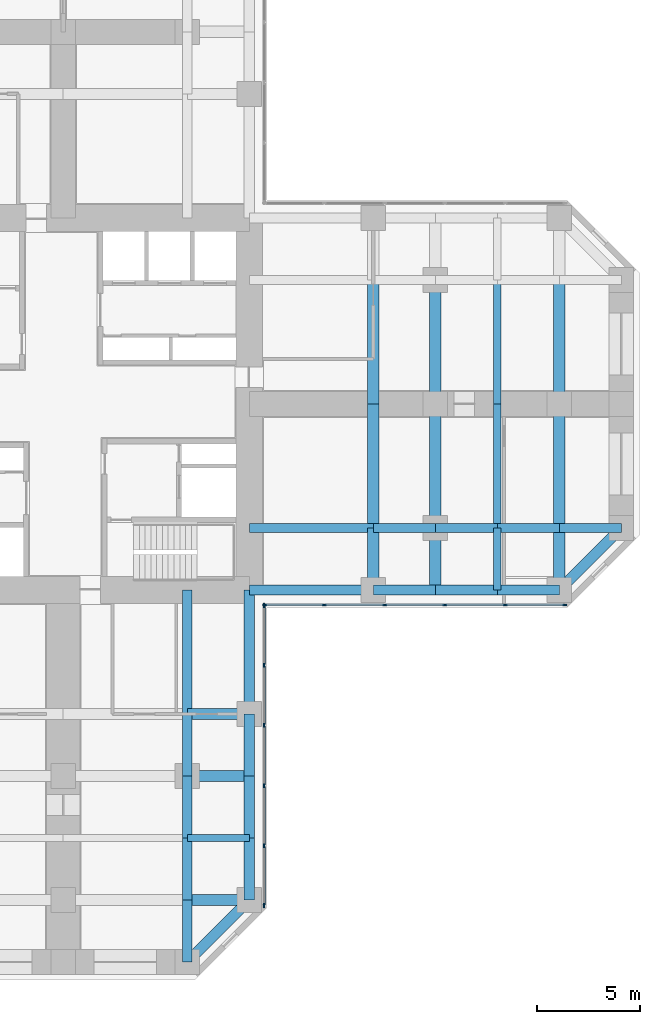
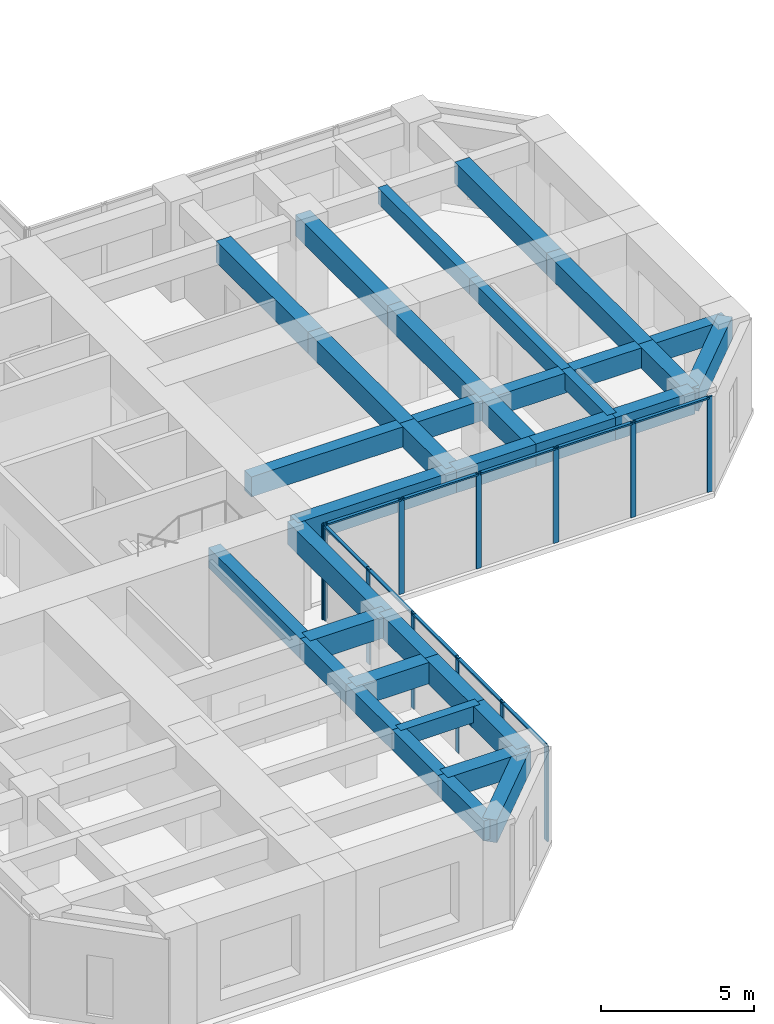
# One storey, part 4 of 12: 36 beams, 22 members, 2 elements without a shape of their own.
"""IFC4 building model written with IfcOpenShell, lengths in metres."""

import ifcopenshell
import ifcopenshell.guid

model = None  # the IFC model being written
_history = None  # IfcOwnerHistory: only IFC2X3 demands one
_inside = {}  # id of a spatial element -> (the spatial element, [elements in it])
_under = {}  # id of a project, library or spatial element -> (it, [spatial elements below it])
_declared = {}  # id of a project -> (the project, [libraries it declares])
_typed = {}  # id of a type object -> (the type object, [elements of that type])
_made_of = {}  # id of a material, layer set ... -> (it, [elements and type objects made of it])


def new_model(schema):
    """Start an empty IFC model of exactly this schema.

    Asked for "IFC4X3", IfcOpenShell would pick the latest addendum, in which some entities
    have other attributes; the version numbers below select the first issue.
    IFC2X3 requires an IfcOwnerHistory on every rooted entity: one is made here for all.
    """
    global model, _history
    if schema == "IFC4X3":
        model = ifcopenshell.file(schema_version=(4, 3, 0, 0))
    else:
        model = ifcopenshell.file(schema=schema)
    _inside.clear()
    _under.clear()
    _declared.clear()
    _typed.clear()
    _made_of.clear()
    _history = None
    if model.schema == "IFC2X3":
        org = make("IfcOrganization", Name="unknown")
        user = make(
            "IfcPersonAndOrganization",
            ThePerson=make("IfcPerson", FamilyName="unknown"),
            TheOrganization=org,
        )
        app = make(
            "IfcApplication",
            ApplicationDeveloper=org,
            Version="unknown",
            ApplicationFullName="unknown",
            ApplicationIdentifier="unknown",
        )
        _history = make(
            "IfcOwnerHistory",
            OwningUser=user,
            OwningApplication=app,
            ChangeAction="ADDED",
            CreationDate=0,
        )
    return model


def make(cls, **values):
    """One entity of the class cls with the attributes given. An attribute that is None is left unset."""
    return model.create_entity(
        cls, **{name: value for name, value in values.items() if value is not None}
    )


def rooted(cls, **values):
    """An entity with a GlobalId (a new one), such as an element, a storey or a relation."""
    return make(cls, GlobalId=ifcopenshell.guid.new(), OwnerHistory=_history, **values)


def si_unit(unit_type, name, prefix=None):
    """IfcSIUnit, for example si_unit("LENGTHUNIT", "METRE", prefix="MILLI")."""
    return make("IfcSIUnit", UnitType=unit_type, Prefix=prefix, Name=name)


def assignment(units):
    """IfcUnitAssignment: the units of a project."""
    return None if units is None else make("IfcUnitAssignment", Units=units)


def point(xyz):
    """IfcCartesianPoint."""
    return None if xyz is None else make("IfcCartesianPoint", Coordinates=xyz)


def direction(xyz):
    """IfcDirection."""
    return None if xyz is None else make("IfcDirection", DirectionRatios=xyz)


def frame(location, z_axis=None, x_axis=None):
    """IfcAxis2Placement3D, a coordinate frame: its origin and axes. An axis left out is left unset."""
    return make(
        "IfcAxis2Placement3D",
        Location=point(location),
        Axis=direction(z_axis),
        RefDirection=direction(x_axis),
    )


def frame_2d(location, x_axis=None):
    """IfcAxis2Placement2D, a coordinate frame in the plane: its origin and x axis."""
    return make(
        "IfcAxis2Placement2D", Location=point(location), RefDirection=direction(x_axis)
    )


def origin():
    """The frame at (0, 0, 0) with its axes left unset."""
    return frame((0.0, 0.0, 0.0))


def origin_2d():
    """The frame at (0, 0) in the plane with its x axis left unset."""
    return frame_2d((0.0, 0.0))


def place(relative_to, where):
    """IfcLocalPlacement: puts the frame where relative to a parent placement (None: the world)."""
    return make(
        "IfcLocalPlacement", PlacementRelTo=relative_to, RelativePlacement=where
    )


def context(
    kind, dimensions, precision=None, world=None, true_north=None, identifier=None
):
    """IfcGeometricRepresentationContext, for example the 3D "Model" context."""
    return make(
        "IfcGeometricRepresentationContext",
        ContextIdentifier=identifier,
        ContextType=kind,
        CoordinateSpaceDimension=dimensions,
        Precision=precision,
        WorldCoordinateSystem=world,
        TrueNorth=true_north,
    )


def subcontext(parent, identifier, kind, view, scale=None):
    """IfcGeometricRepresentationSubContext, for example "Body" below "Model"."""
    return make(
        "IfcGeometricRepresentationSubContext",
        ContextIdentifier=identifier,
        ContextType=kind,
        ParentContext=parent,
        TargetScale=scale,
        TargetView=view,
    )


def project(units=None, contexts=None):
    """IfcProject with its units and contexts."""
    return rooted(
        "IfcProject",
        Name="project",
        RepresentationContexts=contexts,
        UnitsInContext=assignment(units),
    )


def spatial(cls, under=None, at=None, **own):
    """A site, building, storey or space (cls), placed at a placement, below another one or the project."""
    s = rooted(cls, ObjectPlacement=at, **own)
    if under is not None:
        _under.setdefault(under.id(), (under, []))[1].append(s)
    return s


def profile(cls, at=None, kind="AREA", **sizes):
    """A parametric profile (cls). Its sizes go by their IFC names, for example OverallWidth=200.0."""
    return make(cls, ProfileType=kind, Position=at, **sizes)


def rectangle(**sizes):
    """IfcRectangleProfileDef."""
    return profile("IfcRectangleProfileDef", **sizes)


def extrude(swept, where, along, depth):
    """IfcExtrudedAreaSolid: the profile swept, set in the frame where, extruded along a direction by depth."""
    return make(
        "IfcExtrudedAreaSolid",
        SweptArea=swept,
        Position=where,
        ExtrudedDirection=direction(along),
        Depth=depth,
    )


def shape(context_of_items, identifier, shape_type, items):
    """IfcShapeRepresentation: the items that make up one representation, for example the "Body"."""
    return make(
        "IfcShapeRepresentation",
        ContextOfItems=context_of_items,
        RepresentationIdentifier=identifier,
        RepresentationType=shape_type,
        Items=items,
    )


def material(Name=None, Category=None):
    """IfcMaterial."""
    return make("IfcMaterial", Name=Name, Category=Category)


def material_profile(
    of_material, cross_section, Name=None, Category=None, Priority=None
):
    """IfcMaterialProfile: a cross section and its material."""
    return make(
        "IfcMaterialProfile",
        Name=Name,
        Material=of_material,
        Profile=cross_section,
        Priority=Priority,
        Category=Category,
    )


def profile_set(profiles, Name=None, composite=None):
    """IfcMaterialProfileSet."""
    return make(
        "IfcMaterialProfileSet",
        Name=Name,
        MaterialProfiles=profiles,
        CompositeProfile=composite,
    )


def made_of(thing, what):
    """Note that an element or type object is made of a material, layer set ...; save() writes the relation."""
    if what is not None:
        _made_of.setdefault(what.id(), (what, []))[1].append(thing)
    return thing


def type_object(cls, material=None, **own):
    """A type object (cls), such as IfcWallType, which elements share."""
    return made_of(rooted(cls, **own), material)


def element(
    cls,
    number,
    at=None,
    inside=None,
    cuts=None,
    type_object=None,
    material=None,
    context=None,
    identifier="Body",
    shape_type=None,
    held_by="IfcProductDefinitionShape",
    body=None,
    shapes=None,
    **own,
):
    """One element of the class cls, such as IfcWall. Its Tag is "e" and its number.

    at: its placement. inside: the storey or other place that contains it. cuts: it is an
    opening in that element (IfcRelVoidsElement). A single representation is given by context,
    identifier, shape_type and body (its items); several are given by shapes. held_by: the class
    of the entity that holds the representations. save() writes the other relations.
    """
    e = rooted(cls, Tag="e%d" % number, ObjectPlacement=at, **own)
    if body is not None:
        shapes = [shape(context, identifier, shape_type, body)]
    if shapes is not None:
        e.Representation = make(held_by, Representations=shapes)
    if inside is not None:
        _inside.setdefault(inside.id(), (inside, []))[1].append(e)
    if cuts is not None:
        rooted(
            "IfcRelVoidsElement", RelatingBuildingElement=cuts, RelatedOpeningElement=e
        )
    if type_object is not None:
        _typed.setdefault(type_object.id(), (type_object, []))[1].append(e)
    return made_of(e, material)


def aggregate(whole, parts):
    """IfcRelAggregates: a whole, such as a stair, and the parts it consists of."""
    return rooted("IfcRelAggregates", RelatingObject=whole, RelatedObjects=parts)


def save(model, path):
    """Write the relations noted so far, then the file.

    IfcRelAggregates (storeys below a building ...), IfcRelContainedInSpatialStructure (elements
    in a storey), IfcRelDefinesByType, IfcRelAssociatesMaterial and IfcRelDeclares: one each for
    every whole, place, type object, material and project.
    """
    for whole, parts in _under.values():
        aggregate(whole, parts)
    for where, things in _inside.values():
        rooted(
            "IfcRelContainedInSpatialStructure",
            RelatedElements=things,
            RelatingStructure=where,
        )
    for kind, things in _typed.values():
        rooted("IfcRelDefinesByType", RelatedObjects=things, RelatingType=kind)
    for what, things in _made_of.values():
        rooted("IfcRelAssociatesMaterial", RelatedObjects=things, RelatingMaterial=what)
    for by, libraries in _declared.values():
        rooted("IfcRelDeclares", RelatingContext=by, RelatedDefinitions=libraries)
    model.write(path)


model = new_model("IFC4")

# Units and contexts
model_context = context("Model", 3, precision=1e-05, world=origin(), true_north=direction((0.0, 1.0)))
body_context = subcontext(model_context, "Body", "Model", "MODEL_VIEW")
ifc_project = project(units=[si_unit("LENGTHUNIT", "METRE"), si_unit("AREAUNIT", "SQUARE_METRE"), si_unit("VOLUMEUNIT", "CUBIC_METRE"), si_unit("PLANEANGLEUNIT", "RADIAN"), si_unit("MASSUNIT", "GRAM", prefix="KILO")], contexts=[model_context])

# Site, building, storey
site_placement = place(None, origin())
site = spatial("IfcSite", under=ifc_project, at=site_placement, CompositionType="ELEMENT")
building_placement = place(site_placement, origin())
building = spatial("IfcBuilding", under=site, at=building_placement, Name="Torre Cruceta", CompositionType="ELEMENT")
storey_placement = place(building_placement, frame((0.0, 0.0, 43.5)))
storey = spatial("IfcBuildingStorey", under=building, at=storey_placement, Name="L10", CompositionType="ELEMENT", Elevation=43.5)

# Beams
ifc_material_1 = material(Name="Concrete G60 (fck 60 MPa)", Category="concrete")
ifc_material_profile_1 = material_profile(ifc_material_1, rectangle(XDim=0.449951171875, YDim=0.800048828125, at=origin_2d()), Name="RC 450X800")
ifc_profile_set_1 = profile_set([ifc_material_profile_1], Name="Concrete G60 (fck 60 MPa)")
beam_type_1 = type_object("IfcBeamType", Name="COLUMN LINE BEAM RC 450X800", PredefinedType="BEAM", material=ifc_profile_set_1)
beam_1_placement = place(storey_placement, frame((9.0, -6.0, 3.39990234375), z_axis=(1.0, 0.0, 0.0), x_axis=(0.0, 1.0, 0.0)))
element("IfcBeam", 1, at=beam_1_placement, inside=storey, type_object=beam_type_1, Name="LB1 L10 E col- 1", PredefinedType="BEAM", context=body_context, shape_type="SweptSolid", body=[
    extrude(rectangle(XDim=0.449951171875, YDim=0.800048828125, at=origin_2d()), origin(), (0.0, 0.0, 1.0), 6.0),
])
for number, where, z_axis, x_axis, name in (
    (2, (15.0, -6.0, 3.39990234375), (1.0, 0.0, 0.0), (0.0, 1.0, 0.0), "LB1 L10 E col- 2"),
    (3, (18.0, -6.0, 3.39990234375), (1.0, 0.0, 0.0), (0.0, 1.0, 0.0), "LB1 L10 E col- 3"),
    (4, (21.0, -6.0, 3.39990234375), (1.0, 0.0, 0.0), (0.0, 1.0, 0.0), "LB1 L10 E col- 4"),
    (5, (24.0, -6.0, 3.39990234375), (1.0, 0.0, 0.0), (0.0, 1.0, 0.0), "LB1 L10 E col- 5"),
):
    element("IfcBeam", number, at=place(storey_placement, frame(where, z_axis=z_axis, x_axis=x_axis)), inside=storey, type_object=beam_type_1, Name=name, PredefinedType="BEAM", context=body_context, shape_type="SweptSolid", body=[
        extrude(rectangle(XDim=0.449951171875, YDim=0.800048828125, at=origin_2d()), origin(), (0.0, 0.0, 1.0), 3.0),
    ])
beam_2_placement = place(storey_placement, frame((6.0, -9.0, 3.39990234375), z_axis=(0.0, -1.0, 0.0), x_axis=(1.0, 0.0, 0.0)))
element("IfcBeam", 6, at=beam_2_placement, inside=storey, type_object=beam_type_1, Name="LB1 L10 S col+ 1", PredefinedType="BEAM", context=body_context, shape_type="SweptSolid", body=[
    extrude(rectangle(XDim=0.449951171875, YDim=0.800048828125, at=origin_2d()), origin(), (0.0, 0.0, 1.0), 6.0),
])
for number, where, z_axis, x_axis, name in (
    (7, (6.0, -15.0, 3.39990234375), (0.0, -1.0, 0.0), (1.0, 0.0, 0.0), "LB1 L10 S col+ 2"),
    (8, (6.0, -18.0, 3.39990234375), (0.0, -1.0, 0.0), (1.0, 0.0, 0.0), "LB1 L10 S col+ 3"),
    (9, (6.0, -21.0, 3.39990234375), (0.0, -1.0, 0.0), (1.0, 0.0, 0.0), "LB1 L10 S col+ 4"),
    (10, (6.0, -24.0, 3.39990234375), (0.0, -1.0, 0.0), (1.0, 0.0, 0.0), "LB1 L10 S col+ 5"),
):
    element("IfcBeam", number, at=place(storey_placement, frame(where, z_axis=z_axis, x_axis=x_axis)), inside=storey, type_object=beam_type_1, Name=name, PredefinedType="BEAM", context=body_context, shape_type="SweptSolid", body=[
        extrude(rectangle(XDim=0.449951171875, YDim=0.800048828125, at=origin_2d()), origin(), (0.0, 0.0, 1.0), 3.0),
    ])
ifc_material_2 = material(Name="Concrete G60 (fck 60 MPa)", Category="concrete")
ifc_material_profile_2 = material_profile(ifc_material_2, rectangle(XDim=0.550048828125, YDim=0.85009765625, at=origin_2d()), Name="RC 550X850")
ifc_profile_set_2 = profile_set([ifc_material_profile_2], Name="Concrete G60 (fck 60 MPa)")
beam_type_2 = type_object("IfcBeamType", Name="CROSS BEAM RC 550X850", PredefinedType="BEAM", material=ifc_profile_set_2)
beam_3_placement = place(storey_placement, frame((15.0, -9.0, 3.375), z_axis=(0.0, 1.0, 0.0), x_axis=(-1.0, 0.0, 0.0)))
element("IfcBeam", 11, at=beam_3_placement, inside=storey, type_object=beam_type_2, Name="GB4 L10 E cross15 1", PredefinedType="BEAM", context=body_context, shape_type="SweptSolid", body=[
    extrude(rectangle(XDim=0.550048828125, YDim=0.85009765625, at=origin_2d()), origin(), (0.0, 0.0, 1.0), 3.0),
])
for number, where, z_axis, x_axis, name in (
    (12, (15.0, -6.0, 3.375), (0.0, 1.0, 0.0), (-1.0, 0.0, 0.0), "GB4 L10 E cross15 2"),
    (13, (15.0, 0.0, 3.375), (0.0, 1.0, 0.0), (-1.0, 0.0, 0.0), "GB4 L10 E cross15 3"),
):
    element("IfcBeam", number, at=place(storey_placement, frame(where, z_axis=z_axis, x_axis=x_axis)), inside=storey, type_object=beam_type_2, Name=name, PredefinedType="BEAM", context=body_context, shape_type="SweptSolid", body=[
        extrude(rectangle(XDim=0.550048828125, YDim=0.85009765625, at=origin_2d()), origin(), (0.0, 0.0, 1.0), 6.0),
    ])
beam_4_placement = place(storey_placement, frame((18.0, -9.0, 3.375), z_axis=(0.0, 1.0, 0.0), x_axis=(-1.0, 0.0, 0.0)))
element("IfcBeam", 14, at=beam_4_placement, inside=storey, type_object=beam_type_2, Name="GB4 L10 E cross18 1", PredefinedType="BEAM", context=body_context, shape_type="SweptSolid", body=[
    extrude(rectangle(XDim=0.550048828125, YDim=0.85009765625, at=origin_2d()), origin(), (0.0, 0.0, 1.0), 3.0),
])
for number, where, z_axis, x_axis, name in (
    (15, (18.0, -6.0, 3.375), (0.0, 1.0, 0.0), (-1.0, 0.0, 0.0), "GB4 L10 E cross18 2"),
    (16, (18.0, 0.0, 3.375), (0.0, 1.0, 0.0), (-1.0, 0.0, 0.0), "GB4 L10 E cross18 3"),
):
    element("IfcBeam", number, at=place(storey_placement, frame(where, z_axis=z_axis, x_axis=x_axis)), inside=storey, type_object=beam_type_2, Name=name, PredefinedType="BEAM", context=body_context, shape_type="SweptSolid", body=[
        extrude(rectangle(XDim=0.550048828125, YDim=0.85009765625, at=origin_2d()), origin(), (0.0, 0.0, 1.0), 6.0),
    ])
beam_5_placement = place(storey_placement, frame((24.0, -9.0, 3.375), z_axis=(0.0, 1.0, 0.0), x_axis=(-1.0, 0.0, 0.0)))
element("IfcBeam", 17, at=beam_5_placement, inside=storey, type_object=beam_type_2, Name="GB4 L10 E cross24 1", PredefinedType="BEAM", context=body_context, shape_type="SweptSolid", body=[
    extrude(rectangle(XDim=0.550048828125, YDim=0.85009765625, at=origin_2d()), origin(), (0.0, 0.0, 1.0), 3.0),
])
for number, where, z_axis, x_axis, name in (
    (18, (24.0, -6.0, 3.375), (0.0, 1.0, 0.0), (-1.0, 0.0, 0.0), "GB4 L10 E cross24 2"),
    (19, (24.0, 0.0, 3.375), (0.0, 1.0, 0.0), (-1.0, 0.0, 0.0), "GB4 L10 E cross24 3"),
):
    element("IfcBeam", number, at=place(storey_placement, frame(where, z_axis=z_axis, x_axis=x_axis)), inside=storey, type_object=beam_type_2, Name=name, PredefinedType="BEAM", context=body_context, shape_type="SweptSolid", body=[
        extrude(rectangle(XDim=0.550048828125, YDim=0.85009765625, at=origin_2d()), origin(), (0.0, 0.0, 1.0), 6.0),
    ])
for number, where, z_axis, x_axis, name in (
    (20, (6.0, -15.0, 3.375), (1.0, 0.0, 0.0), (0.0, 1.0, 0.0), "GB4 L10 S cross15 4"),
    (21, (6.0, -18.0, 3.375), (1.0, 0.0, 0.0), (0.0, 1.0, 0.0), "GB4 L10 S cross18 4"),
    (22, (6.0, -24.0, 3.375), (1.0, 0.0, 0.0), (0.0, 1.0, 0.0), "GB4 L10 S cross24 4"),
):
    element("IfcBeam", number, at=place(storey_placement, frame(where, z_axis=z_axis, x_axis=x_axis)), inside=storey, type_object=beam_type_2, Name=name, PredefinedType="BEAM", context=body_context, shape_type="SweptSolid", body=[
        extrude(rectangle(XDim=0.550048828125, YDim=0.85009765625, at=origin_2d()), origin(), (0.0, 0.0, 1.0), 3.0),
    ])

# Curtain wall, members
ifc_material_3 = material(Name="Aluminium unitised curtain wall", Category="aluminium")
curtain_wall_type = type_object("IfcCurtainWallType", Name="CURTAIN WALL CW-A OFFICE LOW RISE", PredefinedType="USERDEFINED", material=ifc_material_3)
curtain_wall_1_placement = place(storey_placement, origin())
curtain_wall_1 = element("IfcCurtainWall", 23, at=curtain_wall_1_placement, inside=storey, type_object=curtain_wall_type, Name="CW-A L10 E side 00", ObjectType="UNITISED", PredefinedType="USERDEFINED")
ifc_material_4 = material(Name="Aluminium mullion", Category="aluminium")
ifc_material_profile_3 = material_profile(ifc_material_4, rectangle(XDim=0.06494140625, YDim=0.199951171875, at=origin_2d()), Name="AL 65X200")
ifc_profile_set_3 = profile_set([ifc_material_profile_3], Name="Aluminium mullion")
member_type_1 = type_object("IfcMemberType", Name="CW-A MULLION 65X200", PredefinedType="MULLION", material=ifc_profile_set_3)
member_1_placement = place(storey_placement, frame((9.75244140625, -9.719970703125, 0.0), z_axis=(0.0, 0.0, 1.0), x_axis=(0.0, 1.0, 0.0)))
member_1 = element("IfcMember", 24, at=member_1_placement, type_object=member_type_1, Name="CW-A mullion 1", PredefinedType="MULLION", context=body_context, shape_type="SweptSolid", body=[
    extrude(rectangle(XDim=0.06494140625, YDim=0.199951171875, at=origin_2d()), origin(), (0.0, 0.0, 1.0), 3.800048828125),
])
member_2_placement = place(storey_placement, frame((12.6357421875, -9.719970703125, 0.0), z_axis=(0.0, 0.0, 1.0), x_axis=(0.0, 1.0, 0.0)))
member_2 = element("IfcMember", 25, at=member_2_placement, type_object=member_type_1, Name="CW-A mullion 2", PredefinedType="MULLION", context=body_context, shape_type="SweptSolid", body=[
    extrude(rectangle(XDim=0.06494140625, YDim=0.199951171875, at=origin_2d()), origin(), (0.0, 0.0, 1.0), 3.800048828125),
])
member_3_placement = place(storey_placement, frame((15.55126953125, -9.719970703125, 0.0), z_axis=(0.0, 0.0, 1.0), x_axis=(0.0, 1.0, 0.0)))
member_3 = element("IfcMember", 26, at=member_3_placement, type_object=member_type_1, Name="CW-A mullion 3", PredefinedType="MULLION", context=body_context, shape_type="SweptSolid", body=[
    extrude(rectangle(XDim=0.06494140625, YDim=0.199951171875, at=origin_2d()), origin(), (0.0, 0.0, 1.0), 3.800048828125),
])
member_4_placement = place(storey_placement, frame((18.467041015625, -9.719970703125, 0.0), z_axis=(0.0, 0.0, 1.0), x_axis=(0.0, 1.0, 0.0)))
member_4 = element("IfcMember", 27, at=member_4_placement, type_object=member_type_1, Name="CW-A mullion 4", PredefinedType="MULLION", context=body_context, shape_type="SweptSolid", body=[
    extrude(rectangle(XDim=0.06494140625, YDim=0.199951171875, at=origin_2d()), origin(), (0.0, 0.0, 1.0), 3.800048828125),
])
member_5_placement = place(storey_placement, frame((21.382568359375, -9.719970703125, 0.0), z_axis=(0.0, 0.0, 1.0), x_axis=(0.0, 1.0, 0.0)))
member_5 = element("IfcMember", 28, at=member_5_placement, type_object=member_type_1, Name="CW-A mullion 5", PredefinedType="MULLION", context=body_context, shape_type="SweptSolid", body=[
    extrude(rectangle(XDim=0.06494140625, YDim=0.199951171875, at=origin_2d()), origin(), (0.0, 0.0, 1.0), 3.800048828125),
])
member_6_placement = place(storey_placement, frame((24.265625, -9.719970703125, 0.0), z_axis=(0.0, 0.0, 1.0), x_axis=(0.0, 1.0, 0.0)))
member_6 = element("IfcMember", 29, at=member_6_placement, type_object=member_type_1, Name="CW-A mullion 6", PredefinedType="MULLION", context=body_context, shape_type="SweptSolid", body=[
    extrude(rectangle(XDim=0.06494140625, YDim=0.199951171875, at=origin_2d()), origin(), (0.0, 0.0, 1.0), 3.800048828125),
])

curtain_wall_2_placement = place(storey_placement, origin())
curtain_wall_2 = element("IfcCurtainWall", 30, at=curtain_wall_2_placement, inside=storey, type_object=curtain_wall_type, Name="CW-A L10 S side 19", ObjectType="UNITISED", PredefinedType="USERDEFINED")
member_7_placement = place(storey_placement, frame((9.719970703125, -24.265625, 0.0), z_axis=(0.0, 0.0, 1.0), x_axis=(-1.0, 0.0, 0.0)))
member_7 = element("IfcMember", 31, at=member_7_placement, type_object=member_type_1, Name="CW-A mullion 1", PredefinedType="MULLION", context=body_context, shape_type="SweptSolid", body=[
    extrude(rectangle(XDim=0.06494140625, YDim=0.199951171875, at=origin_2d()), origin(), (0.0, 0.0, 1.0), 3.800048828125),
])
member_8_placement = place(storey_placement, frame((9.719970703125, -21.382568359375, 0.0), z_axis=(0.0, 0.0, 1.0), x_axis=(-1.0, 0.0, 0.0)))
member_8 = element("IfcMember", 32, at=member_8_placement, type_object=member_type_1, Name="CW-A mullion 2", PredefinedType="MULLION", context=body_context, shape_type="SweptSolid", body=[
    extrude(rectangle(XDim=0.06494140625, YDim=0.199951171875, at=origin_2d()), origin(), (0.0, 0.0, 1.0), 3.800048828125),
])
member_9_placement = place(storey_placement, frame((9.719970703125, -18.467041015625, 0.0), z_axis=(0.0, 0.0, 1.0), x_axis=(-1.0, 0.0, 0.0)))
member_9 = element("IfcMember", 33, at=member_9_placement, type_object=member_type_1, Name="CW-A mullion 3", PredefinedType="MULLION", context=body_context, shape_type="SweptSolid", body=[
    extrude(rectangle(XDim=0.06494140625, YDim=0.199951171875, at=origin_2d()), origin(), (0.0, 0.0, 1.0), 3.800048828125),
])
member_10_placement = place(storey_placement, frame((9.719970703125, -15.55126953125, 0.0), z_axis=(0.0, 0.0, 1.0), x_axis=(-1.0, 0.0, 0.0)))
member_10 = element("IfcMember", 34, at=member_10_placement, type_object=member_type_1, Name="CW-A mullion 4", PredefinedType="MULLION", context=body_context, shape_type="SweptSolid", body=[
    extrude(rectangle(XDim=0.06494140625, YDim=0.199951171875, at=origin_2d()), origin(), (0.0, 0.0, 1.0), 3.800048828125),
])
member_11_placement = place(storey_placement, frame((9.719970703125, -12.6357421875, 0.0), z_axis=(0.0, 0.0, 1.0), x_axis=(-1.0, 0.0, 0.0)))
member_11 = element("IfcMember", 35, at=member_11_placement, type_object=member_type_1, Name="CW-A mullion 5", PredefinedType="MULLION", context=body_context, shape_type="SweptSolid", body=[
    extrude(rectangle(XDim=0.06494140625, YDim=0.199951171875, at=origin_2d()), origin(), (0.0, 0.0, 1.0), 3.800048828125),
])
member_12_placement = place(storey_placement, frame((9.719970703125, -9.75244140625, 0.0), z_axis=(0.0, 0.0, 1.0), x_axis=(-1.0, 0.0, 0.0)))
member_12 = element("IfcMember", 36, at=member_12_placement, type_object=member_type_1, Name="CW-A mullion 6", PredefinedType="MULLION", context=body_context, shape_type="SweptSolid", body=[
    extrude(rectangle(XDim=0.06494140625, YDim=0.199951171875, at=origin_2d()), origin(), (0.0, 0.0, 1.0), 3.800048828125),
])

# Member
ifc_material_5 = material(Name="Aluminium transom", Category="aluminium")
ifc_material_profile_4 = material_profile(ifc_material_5, rectangle(XDim=0.1201171875, YDim=0.06494140625, at=origin_2d()), Name="AL 120X65")
ifc_profile_set_4 = profile_set([ifc_material_profile_4], Name="Aluminium transom")
member_type_2 = type_object("IfcMemberType", Name="CW-A TRANSOM 65X120", PredefinedType="USERDEFINED", material=ifc_profile_set_4)
member_13_placement = place(storey_placement, frame((9.784912109375, -9.719970703125, 3.767578125), z_axis=(1.0, 0.0, 0.0), x_axis=(0.0, 1.0, 0.0)))
member_13 = element("IfcMember", 37, at=member_13_placement, type_object=member_type_2, Name="CW-A transom 1", ObjectType="TRANSOM", PredefinedType="USERDEFINED", context=body_context, shape_type="SweptSolid", body=[
    extrude(rectangle(XDim=0.1201171875, YDim=0.06494140625, at=origin_2d()), origin(), (0.0, 0.0, 1.0), 2.818115234375),
])

member_14_placement = place(storey_placement, frame((12.668212890625, -9.719970703125, 3.767578125), z_axis=(1.0, 0.0, 0.0), x_axis=(0.0, 1.0, 0.0)))
member_14 = element("IfcMember", 38, at=member_14_placement, type_object=member_type_2, Name="CW-A transom 2", ObjectType="TRANSOM", PredefinedType="USERDEFINED", context=body_context, shape_type="SweptSolid", body=[
    extrude(rectangle(XDim=0.1201171875, YDim=0.06494140625, at=origin_2d()), origin(), (0.0, 0.0, 1.0), 2.8505859375),
])

member_15_placement = place(storey_placement, frame((15.583740234375, -9.719970703125, 3.767578125), z_axis=(1.0, 0.0, 0.0), x_axis=(0.0, 1.0, 0.0)))
member_15 = element("IfcMember", 39, at=member_15_placement, type_object=member_type_2, Name="CW-A transom 3", ObjectType="TRANSOM", PredefinedType="USERDEFINED", context=body_context, shape_type="SweptSolid", body=[
    extrude(rectangle(XDim=0.1201171875, YDim=0.06494140625, at=origin_2d()), origin(), (0.0, 0.0, 1.0), 2.8505859375),
])

member_16_placement = place(storey_placement, frame((18.49951171875, -9.719970703125, 3.767578125), z_axis=(1.0, 0.0, 0.0), x_axis=(0.0, 1.0, 0.0)))
member_16 = element("IfcMember", 40, at=member_16_placement, type_object=member_type_2, Name="CW-A transom 4", ObjectType="TRANSOM", PredefinedType="USERDEFINED", context=body_context, shape_type="SweptSolid", body=[
    extrude(rectangle(XDim=0.1201171875, YDim=0.06494140625, at=origin_2d()), origin(), (0.0, 0.0, 1.0), 2.8505859375),
])

member_17_placement = place(storey_placement, frame((21.4150390625, -9.719970703125, 3.767578125), z_axis=(1.0, 0.0, 0.0), x_axis=(0.0, 1.0, 0.0)))
member_17 = element("IfcMember", 41, at=member_17_placement, type_object=member_type_2, Name="CW-A transom 5", ObjectType="TRANSOM", PredefinedType="USERDEFINED", context=body_context, shape_type="SweptSolid", body=[
    extrude(rectangle(XDim=0.1201171875, YDim=0.06494140625, at=origin_2d()), origin(), (0.0, 0.0, 1.0), 2.818115234375),
])

aggregate(curtain_wall_1, [member_1, member_2, member_3, member_4, member_5, member_6, member_13, member_14, member_15, member_16, member_17])

member_18_placement = place(storey_placement, frame((9.719970703125, -24.233154296875, 3.767578125), z_axis=(0.0, 1.0, 0.0), x_axis=(-1.0, 0.0, 0.0)))
member_18 = element("IfcMember", 42, at=member_18_placement, type_object=member_type_2, Name="CW-A transom 1", ObjectType="TRANSOM", PredefinedType="USERDEFINED", context=body_context, shape_type="SweptSolid", body=[
    extrude(rectangle(XDim=0.1201171875, YDim=0.06494140625, at=origin_2d()), origin(), (0.0, 0.0, 1.0), 2.818115234375),
])

member_19_placement = place(storey_placement, frame((9.719970703125, -21.35009765625, 3.767578125), z_axis=(0.0, 1.0, 0.0), x_axis=(-1.0, 0.0, 0.0)))
member_19 = element("IfcMember", 43, at=member_19_placement, type_object=member_type_2, Name="CW-A transom 2", ObjectType="TRANSOM", PredefinedType="USERDEFINED", context=body_context, shape_type="SweptSolid", body=[
    extrude(rectangle(XDim=0.1201171875, YDim=0.06494140625, at=origin_2d()), origin(), (0.0, 0.0, 1.0), 2.8505859375),
])

member_20_placement = place(storey_placement, frame((9.719970703125, -18.434326171875, 3.767578125), z_axis=(0.0, 1.0, 0.0), x_axis=(-1.0, 0.0, 0.0)))
member_20 = element("IfcMember", 44, at=member_20_placement, type_object=member_type_2, Name="CW-A transom 3", ObjectType="TRANSOM", PredefinedType="USERDEFINED", context=body_context, shape_type="SweptSolid", body=[
    extrude(rectangle(XDim=0.1201171875, YDim=0.06494140625, at=origin_2d()), origin(), (0.0, 0.0, 1.0), 2.8505859375),
])

member_21_placement = place(storey_placement, frame((9.719970703125, -15.518798828125, 3.767578125), z_axis=(0.0, 1.0, 0.0), x_axis=(-1.0, 0.0, 0.0)))
member_21 = element("IfcMember", 45, at=member_21_placement, type_object=member_type_2, Name="CW-A transom 4", ObjectType="TRANSOM", PredefinedType="USERDEFINED", context=body_context, shape_type="SweptSolid", body=[
    extrude(rectangle(XDim=0.1201171875, YDim=0.06494140625, at=origin_2d()), origin(), (0.0, 0.0, 1.0), 2.8505859375),
])

member_22_placement = place(storey_placement, frame((9.719970703125, -12.60302734375, 3.767578125), z_axis=(0.0, 1.0, 0.0), x_axis=(-1.0, 0.0, 0.0)))
member_22 = element("IfcMember", 46, at=member_22_placement, type_object=member_type_2, Name="CW-A transom 5", ObjectType="TRANSOM", PredefinedType="USERDEFINED", context=body_context, shape_type="SweptSolid", body=[
    extrude(rectangle(XDim=0.1201171875, YDim=0.06494140625, at=origin_2d()), origin(), (0.0, 0.0, 1.0), 2.818115234375),
])

aggregate(curtain_wall_2, [member_7, member_8, member_9, member_10, member_11, member_12, member_18, member_19, member_20, member_21, member_22])

# Beams
ifc_material_6 = material(Name="Concrete G60 (fck 60 MPa)", Category="concrete")
ifc_material_profile_5 = material_profile(ifc_material_6, rectangle(XDim=0.35009765625, YDim=0.64990234375, at=origin_2d()), Name="RC 350X650")
ifc_profile_set_5 = profile_set([ifc_material_profile_5], Name="Concrete G60 (fck 60 MPa)")
beam_type_3 = type_object("IfcBeamType", Name="SECONDARY BEAM RC 350X650", PredefinedType="JOIST", material=ifc_profile_set_5)
beam_6_placement = place(storey_placement, frame((21.0, -9.0, 3.47509765625), z_axis=(0.0, 1.0, 0.0), x_axis=(-1.0, 0.0, 0.0)))
element("IfcBeam", 47, at=beam_6_placement, inside=storey, type_object=beam_type_3, Name="JB3 L10 E sec21 1", PredefinedType="JOIST", context=body_context, shape_type="SweptSolid", body=[
    extrude(rectangle(XDim=0.35009765625, YDim=0.64990234375, at=origin_2d()), origin(), (0.0, 0.0, 1.0), 3.0),
])
for number, where, z_axis, x_axis, name in (
    (48, (21.0, -6.0, 3.47509765625), (0.0, 1.0, 0.0), (-1.0, 0.0, 0.0), "JB3 L10 E sec21 2"),
    (49, (21.0, 0.0, 3.47509765625), (0.0, 1.0, 0.0), (-1.0, 0.0, 0.0), "JB3 L10 E sec21 3"),
):
    element("IfcBeam", number, at=place(storey_placement, frame(where, z_axis=z_axis, x_axis=x_axis)), inside=storey, type_object=beam_type_3, Name=name, PredefinedType="JOIST", context=body_context, shape_type="SweptSolid", body=[
        extrude(rectangle(XDim=0.35009765625, YDim=0.64990234375, at=origin_2d()), origin(), (0.0, 0.0, 1.0), 6.0),
    ])
beam_7_placement = place(storey_placement, frame((6.0, -21.0, 3.47509765625), z_axis=(1.0, 0.0, 0.0), x_axis=(0.0, 1.0, 0.0)))
element("IfcBeam", 50, at=beam_7_placement, inside=storey, type_object=beam_type_3, Name="JB3 L10 S sec21 4", PredefinedType="JOIST", context=body_context, shape_type="SweptSolid", body=[
    extrude(rectangle(XDim=0.35009765625, YDim=0.64990234375, at=origin_2d()), origin(), (0.0, 0.0, 1.0), 3.0),
])
ifc_material_7 = material(Name="Concrete G60 (fck 60 MPa)", Category="concrete")
ifc_material_profile_6 = material_profile(ifc_material_7, rectangle(XDim=0.5, YDim=0.89990234375, at=origin_2d()), Name="RC 500X900")
ifc_profile_set_6 = profile_set([ifc_material_profile_6], Name="Concrete G60 (fck 60 MPa)")
beam_type_4 = type_object("IfcBeamType", Name="SPANDREL BEAM RC 500X900", PredefinedType="SPANDREL", material=ifc_profile_set_6)
beam_8_placement = place(storey_placement, frame((9.0, -9.0, 3.35009765625), z_axis=(1.0, 0.0, 0.0), x_axis=(0.0, 1.0, 0.0)))
element("IfcBeam", 51, at=beam_8_placement, inside=storey, type_object=beam_type_4, Name="SB4 L10 E side- 1", PredefinedType="SPANDREL", context=body_context, shape_type="SweptSolid", body=[
    extrude(rectangle(XDim=0.5, YDim=0.89990234375, at=origin_2d()), origin(), (0.0, 0.0, 1.0), 6.0),
])
for number, where, z_axis, x_axis, name in (
    (52, (15.0, -9.0, 3.35009765625), (1.0, 0.0, 0.0), (0.0, 1.0, 0.0), "SB4 L10 E side- 2"),
    (53, (18.0, -9.0, 3.35009765625), (1.0, 0.0, 0.0), (0.0, 1.0, 0.0), "SB4 L10 E side- 3"),
    (54, (21.0, -9.0, 3.35009765625), (1.0, 0.0, 0.0), (0.0, 1.0, 0.0), "SB4 L10 E side- 4"),
):
    element("IfcBeam", number, at=place(storey_placement, frame(where, z_axis=z_axis, x_axis=x_axis)), inside=storey, type_object=beam_type_4, Name=name, PredefinedType="SPANDREL", context=body_context, shape_type="SweptSolid", body=[
        extrude(rectangle(XDim=0.5, YDim=0.89990234375, at=origin_2d()), origin(), (0.0, 0.0, 1.0), 3.0),
    ])
beam_9_placement = place(storey_placement, frame((24.0, -9.0, 3.35009765625), z_axis=(0.707106781187, 0.707106781187, 0.0), x_axis=(-0.707106781187, 0.707106781187, 0.0)))
element("IfcBeam", 55, at=beam_9_placement, inside=storey, type_object=beam_type_4, Name="SB4 L10 E side- 5", PredefinedType="SPANDREL", context=body_context, shape_type="SweptSolid", body=[
    extrude(rectangle(XDim=0.5, YDim=0.89990234375, at=origin_2d()), origin(), (0.0, 0.0, 1.0), 4.24267578125),
])
beam_10_placement = place(storey_placement, frame((9.0, -9.0, 3.35009765625), z_axis=(0.0, -1.0, 0.0), x_axis=(1.0, 0.0, 0.0)))
element("IfcBeam", 56, at=beam_10_placement, inside=storey, type_object=beam_type_4, Name="SB4 L10 S side+ 1", PredefinedType="SPANDREL", context=body_context, shape_type="SweptSolid", body=[
    extrude(rectangle(XDim=0.5, YDim=0.89990234375, at=origin_2d()), origin(), (0.0, 0.0, 1.0), 6.0),
])
for number, where, z_axis, x_axis, name in (
    (57, (9.0, -15.0, 3.35009765625), (0.0, -1.0, 0.0), (1.0, 0.0, 0.0), "SB4 L10 S side+ 2"),
    (58, (9.0, -18.0, 3.35009765625), (0.0, -1.0, 0.0), (1.0, 0.0, 0.0), "SB4 L10 S side+ 3"),
    (59, (9.0, -21.0, 3.35009765625), (0.0, -1.0, 0.0), (1.0, 0.0, 0.0), "SB4 L10 S side+ 4"),
):
    element("IfcBeam", number, at=place(storey_placement, frame(where, z_axis=z_axis, x_axis=x_axis)), inside=storey, type_object=beam_type_4, Name=name, PredefinedType="SPANDREL", context=body_context, shape_type="SweptSolid", body=[
        extrude(rectangle(XDim=0.5, YDim=0.89990234375, at=origin_2d()), origin(), (0.0, 0.0, 1.0), 3.0),
    ])
beam_11_placement = place(storey_placement, frame((9.0, -24.0, 3.35009765625), z_axis=(-0.707106781187, -0.707106781187, 0.0), x_axis=(0.707106781187, -0.707106781187, 0.0)))
element("IfcBeam", 60, at=beam_11_placement, inside=storey, type_object=beam_type_4, Name="SB4 L10 S side+ 5", PredefinedType="SPANDREL", context=body_context, shape_type="SweptSolid", body=[
    extrude(rectangle(XDim=0.5, YDim=0.89990234375, at=origin_2d()), origin(), (0.0, 0.0, 1.0), 4.24267578125),
])

save(model, "model.ifc")
